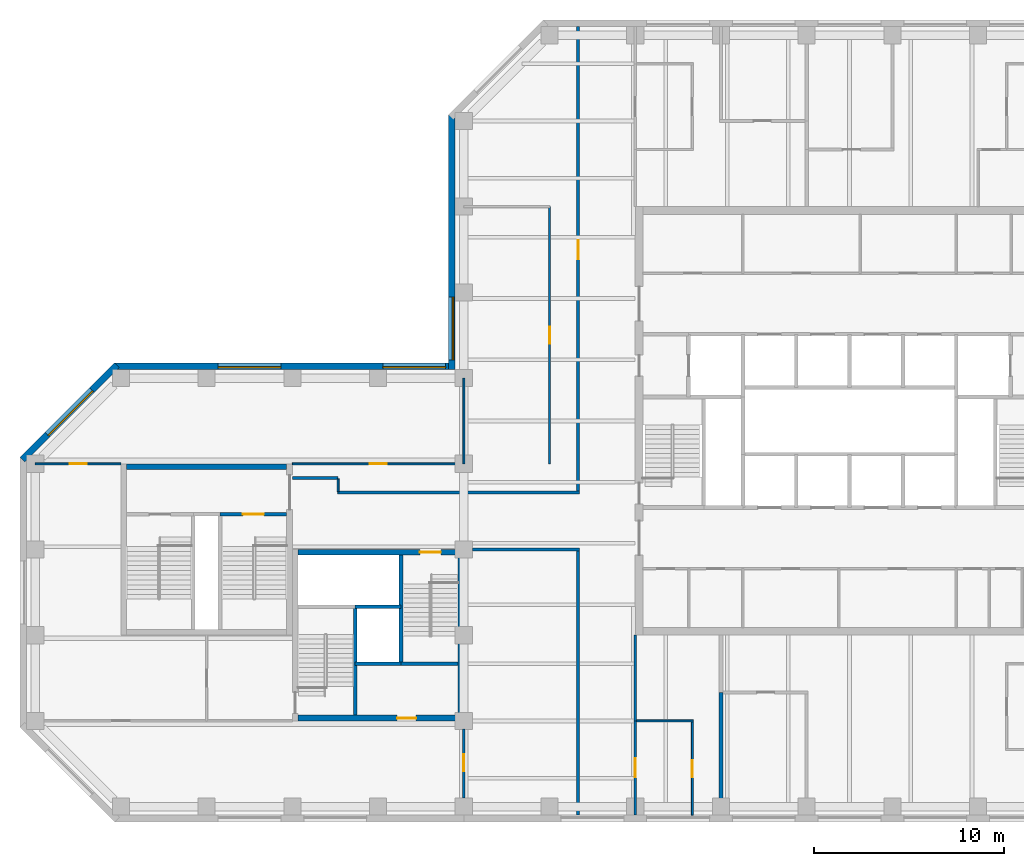
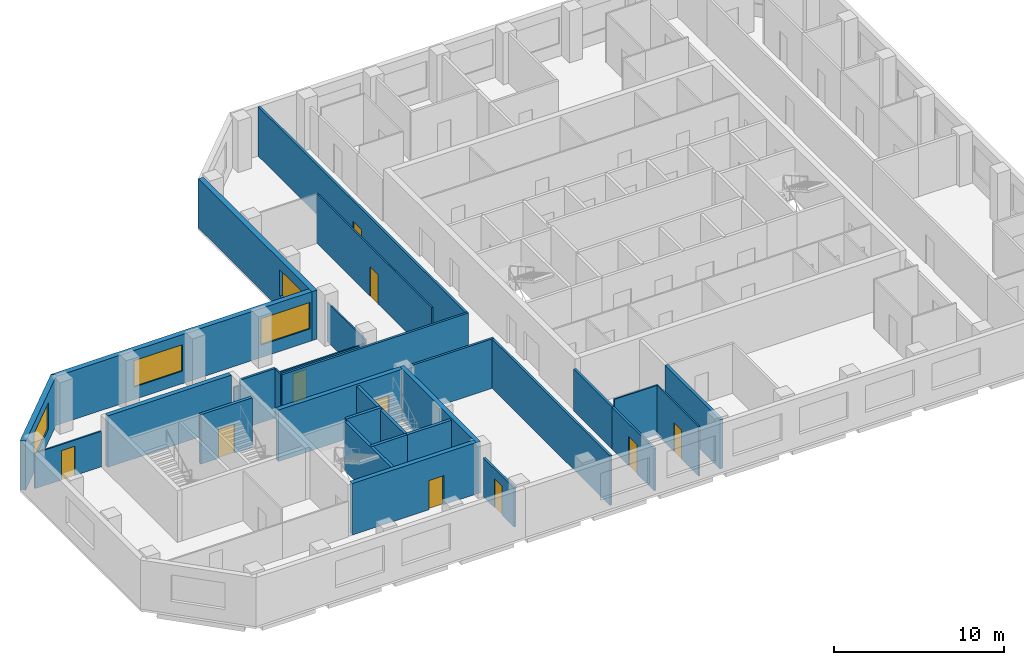
# One storey, part 3 of 9: 29 walls, 10 doors, 4 windows, 14 openings.
"""IFC4 building model written with IfcOpenShell, lengths in metres."""

from ifc_helpers import new_model, si_unit, direction, frame, frame_2d, origin, place, context, subcontext, project, spatial, rectangle, extrude, material, layer, layer_set, constituent, constituent_set, type_object, element, fill, save


model = new_model("IFC4")

# Units and contexts
model_context = context("Model", 3, precision=1e-05, world=origin(), true_north=direction((0.0, 1.0)))
body_context = subcontext(model_context, "Body", "Model", "MODEL_VIEW")
ifc_project = project(units=[si_unit("LENGTHUNIT", "METRE"), si_unit("AREAUNIT", "SQUARE_METRE"), si_unit("VOLUMEUNIT", "CUBIC_METRE"), si_unit("PLANEANGLEUNIT", "RADIAN"), si_unit("MASSUNIT", "GRAM", prefix="KILO")], contexts=[model_context])

# Site, building, storey
site_placement = place(None, origin())
site = spatial("IfcSite", under=ifc_project, at=site_placement, CompositionType="ELEMENT")
building_placement = place(site_placement, origin())
building = spatial("IfcBuilding", under=site, at=building_placement, Name="Quoin Convention Tower", CompositionType="ELEMENT")
storey_placement = place(building_placement, frame((0.0, 0.0, 223.0)))
storey = spatial("IfcBuildingStorey", under=building, at=storey_placement, Name="L58", CompositionType="ELEMENT", Elevation=223.0)

# Wall, opening, window
ifc_material_1 = material(Name="Brick masonry", Category="masonry")
ifc_layer_1 = layer(ifc_material_1, 0.35009765625)
ifc_layer_set_1 = layer_set([ifc_layer_1], Name="Brick masonry")
wall_type_1 = type_object("IfcWallType", Name="Brick facade wall", PredefinedType="STANDARD", material=ifc_layer_set_1)
wall_1_placement = place(storey_placement, frame((35.375, 76.831298828125, 0.0), z_axis=(0.0, 0.0, 1.0), x_axis=(0.0, -1.0, 0.0)))
wall_1 = element("IfcWall", 1, at=wall_1_placement, inside=storey, type_object=wall_type_1, Name="fw-L58-36000_76500", PredefinedType="STANDARD", context=body_context, shape_type="SweptSolid", body=[
    extrude(rectangle(XDim=13.38134765625, YDim=0.35009765625, at=frame_2d((6.690673828125, 0.0))), origin(), (0.0, 0.0, 1.0), 3.52490234375),
])
opening_1_placement = place(wall_1_placement, frame((9.581298828125, 0.0, 0.89990234375)))
opening_1 = element("IfcOpeningElement", 2, at=opening_1_placement, cuts=wall_1, Name="Opening W-02", PredefinedType="OPENING", context=body_context, shape_type="SweptSolid", body=[
    extrude(rectangle(XDim=3.300048828125, YDim=1.89990234375, at=frame_2d((1.64990234375, 0.949951171875))), frame((0.0, 0.18505859375, 0.0), z_axis=(0.0, -1.0, 0.0), x_axis=(1.0, 0.0, 0.0)), (0.0, 0.0, 1.0), 0.3701171875),
])
ifc_material_2 = material(Name="Aluminium", Category="aluminium")
ifc_constituent_1 = constituent(ifc_material_2, Name="Frame")
ifc_material_3 = material(Name="Insulated glass", Category="glass")
ifc_constituent_2 = constituent(ifc_material_3, Name="Glazing")
ifc_constituent_set = constituent_set(constituents=[ifc_constituent_1, ifc_constituent_2], Name="Aluminium")
window_type = type_object("IfcWindowType", Name="Office window", PartitioningType="DOUBLE_PANEL_VERTICAL", PredefinedType="WINDOW", material=ifc_constituent_set)
window_1_placement = place(opening_1_placement, origin())
window_1 = element("IfcWindow", 3, at=window_1_placement, inside=storey, type_object=window_type, Name="win-L58-35375_65250", OverallHeight=1.89990234375, OverallWidth=3.300048828125, PartitioningType="SINGLE_PANEL", PredefinedType="WINDOW", context=body_context, shape_type="SweptSolid", body=[
    extrude(rectangle(XDim=3.300048828125, YDim=1.89990234375, at=frame_2d((1.64990234375, 0.949951171875))), frame((0.0, 0.0849609375, 0.0), z_axis=(0.0, -1.0, 0.0), x_axis=(1.0, 0.0, 0.0)), (0.0, 0.0, 1.0), 0.06005859375),
])
fill(opening_1, window_1)

# Wall, openings, windows
wall_2_placement = place(storey_placement, frame((35.550048828125, 63.625, 0.0), z_axis=(0.0, 0.0, 1.0), x_axis=(-1.0, 0.0, 0.0)))
wall_2 = element("IfcWall", 4, at=wall_2_placement, inside=storey, type_object=wall_type_1, Name="fw-L58-36000_63000", PredefinedType="STANDARD", context=body_context, shape_type="SweptSolid", body=[
    extrude(rectangle(XDim=17.88134765625, YDim=0.35009765625, at=frame_2d((8.940673828125, 0.0))), origin(), (0.0, 0.0, 1.0), 3.52490234375),
])
opening_2_placement = place(wall_2_placement, frame((0.5, 0.0, 0.89990234375)))
opening_2 = element("IfcOpeningElement", 5, at=opening_2_placement, cuts=wall_2, Name="Opening W-02", PredefinedType="OPENING", context=body_context, shape_type="SweptSolid", body=[
    extrude(rectangle(XDim=3.300048828125, YDim=1.89990234375, at=frame_2d((1.64990234375, 0.949951171875))), frame((0.0, 0.18505859375, 0.0), z_axis=(0.0, -1.0, 0.0), x_axis=(1.0, 0.0, 0.0)), (0.0, 0.0, 1.0), 0.3701171875),
])
opening_3_placement = place(wall_2_placement, frame((9.14990234375, 0.0, 0.89990234375)))
opening_3 = element("IfcOpeningElement", 6, at=opening_3_placement, cuts=wall_2, Name="Opening W-02", PredefinedType="OPENING", context=body_context, shape_type="SweptSolid", body=[
    extrude(rectangle(XDim=3.300048828125, YDim=1.89990234375, at=frame_2d((1.64990234375, 0.949951171875))), frame((0.0, 0.18505859375, 0.0), z_axis=(0.0, -1.0, 0.0), x_axis=(1.0, 0.0, 0.0)), (0.0, 0.0, 1.0), 0.3701171875),
])
window_2_placement = place(opening_2_placement, origin())
window_2 = element("IfcWindow", 7, at=window_2_placement, inside=storey, type_object=window_type, Name="win-L58-33750_63625", OverallHeight=1.89990234375, OverallWidth=3.300048828125, PartitioningType="SINGLE_PANEL", PredefinedType="WINDOW", context=body_context, shape_type="SweptSolid", body=[
    extrude(rectangle(XDim=3.300048828125, YDim=1.89990234375, at=frame_2d((1.64990234375, 0.949951171875))), frame((0.0, 0.0849609375, 0.0), z_axis=(0.0, -1.0, 0.0), x_axis=(1.0, 0.0, 0.0)), (0.0, 0.0, 1.0), 0.06005859375),
])
fill(opening_2, window_2)
window_3_placement = place(opening_3_placement, origin())
window_3 = element("IfcWindow", 8, at=window_3_placement, inside=storey, type_object=window_type, Name="win-L58-24750_63625", OverallHeight=1.89990234375, OverallWidth=3.300048828125, PartitioningType="SINGLE_PANEL", PredefinedType="WINDOW", context=body_context, shape_type="SweptSolid", body=[
    extrude(rectangle(XDim=3.300048828125, YDim=1.89990234375, at=frame_2d((1.64990234375, 0.949951171875))), frame((0.0, 0.0849609375, 0.0), z_axis=(0.0, -1.0, 0.0), x_axis=(1.0, 0.0, 0.0)), (0.0, 0.0, 1.0), 0.06005859375),
])
fill(opening_3, window_3)

# Wall, opening, window
wall_3_placement = place(storey_placement, frame((17.79248046875, 63.67626953125, 0.0), z_axis=(0.0, 0.0, 1.0), x_axis=(-0.707106781187, -0.707106781187, 0.0)))
wall_3 = element("IfcWall", 9, at=wall_3_placement, inside=storey, type_object=wall_type_1, Name="fw-L58-18000_63000", PredefinedType="STANDARD", context=body_context, shape_type="SweptSolid", body=[
    extrude(rectangle(XDim=7.02685546875, YDim=0.35009765625, at=frame_2d((3.513427734375, 0.0))), origin(), (0.0, 0.0, 1.0), 3.52490234375),
])
opening_4_placement = place(wall_3_placement, frame((1.86328125, 0.0, 0.89990234375)))
opening_4 = element("IfcOpeningElement", 10, at=opening_4_placement, cuts=wall_3, Name="Opening W-02", PredefinedType="OPENING", context=body_context, shape_type="SweptSolid", body=[
    extrude(rectangle(XDim=3.300048828125, YDim=1.89990234375, at=frame_2d((1.64990234375, 0.949951171875))), frame((0.0, 0.18505859375, 0.0), z_axis=(0.0, -1.0, 0.0), x_axis=(1.0, 0.0, 0.0)), (0.0, 0.0, 1.0), 0.3701171875),
])
window_4_placement = place(opening_4_placement, origin())
window_4 = element("IfcWindow", 11, at=window_4_placement, inside=storey, type_object=window_type, Name="win-L58-15308_61192", OverallHeight=1.89990234375, OverallWidth=3.300048828125, PartitioningType="SINGLE_PANEL", PredefinedType="WINDOW", context=body_context, shape_type="SweptSolid", body=[
    extrude(rectangle(XDim=3.300048828125, YDim=1.89990234375, at=frame_2d((1.64990234375, 0.949951171875))), frame((0.0, 0.0849609375, 0.0), z_axis=(0.0, -1.0, 0.0), x_axis=(1.0, 0.0, 0.0)), (0.0, 0.0, 1.0), 0.06005859375),
])
fill(opening_4, window_4)

# Walls
ifc_material_4 = material(Name="Concrete C50", Category="concrete")
ifc_layer_2 = layer(ifc_material_4, 0.199951171875)
ifc_layer_set_2 = layer_set([ifc_layer_2], Name="Concrete C50")
wall_type_2 = type_object("IfcWallType", Name="Core shaft wall", PredefinedType="SOLIDWALL", material=ifc_layer_set_2)
wall_4_placement = place(storey_placement, frame((30.300048828125, 48.0, 0.0), z_axis=(0.0, 0.0, 1.0), x_axis=(1.0, 0.0, 0.0)))
element("IfcWall", 12, at=wall_4_placement, inside=storey, type_object=wall_type_2, Name="cr-P2-L58-h3000_3300", PredefinedType="SOLIDWALL", context=body_context, shape_type="SweptSolid", body=[
    extrude(rectangle(XDim=2.39990234375, YDim=0.199951171875, at=frame_2d((1.199951171875, 0.0))), origin(), (0.0, 0.0, 1.0), 3.550048828125),
])
wall_5_placement = place(storey_placement, frame((32.699951171875, 48.0, 0.0), z_axis=(0.0, 0.0, 1.0), x_axis=(1.0, 0.0, 0.0)))
element("IfcWall", 13, at=wall_5_placement, inside=storey, type_object=wall_type_2, Name="cr-P2-L58-h3000_5700", PredefinedType="SOLIDWALL", context=body_context, shape_type="SweptSolid", body=[
    extrude(rectangle(XDim=3.0, YDim=0.199951171875, at=frame_2d((1.5, 0.0))), origin(), (0.0, 0.0, 1.0), 3.550048828125),
])
for number, where, z_axis, x_axis, name in (
    (14, (30.300048828125, 45.300048828125, 0.0), (0.0, 0.0, 1.0), (0.0, 1.0, 0.0), "cr-P2-L58-v3300_300"),
    (15, (32.699951171875, 48.0, 0.0), (0.0, 0.0, 1.0), (0.0, 1.0, 0.0), "cr-P2-L58-v5700_3000"),
):
    element("IfcWall", number, at=place(storey_placement, frame(where, z_axis=z_axis, x_axis=x_axis)), inside=storey, type_object=wall_type_2, Name=name, PredefinedType="SOLIDWALL", context=body_context, shape_type="SweptSolid", body=[
        extrude(rectangle(XDim=5.699951171875, YDim=0.199951171875, at=frame_2d((2.85009765625, 0.0))), origin(), (0.0, 0.0, 1.0), 3.550048828125),
    ])

# Wall, opening, door
wall_6_placement = place(storey_placement, frame((23.199951171875, 55.85009765625, 0.0), z_axis=(0.0, 0.0, 1.0), x_axis=(1.0, 0.0, 0.0)))
wall_6 = element("IfcWall", 16, at=wall_6_placement, inside=storey, type_object=wall_type_2, Name="cr-P6-L58-h6350_5200", PredefinedType="SOLIDWALL", context=body_context, shape_type="SweptSolid", body=[
    extrude(rectangle(XDim=3.5, YDim=0.199951171875, at=frame_2d((1.75, 0.0))), origin(), (0.0, 0.0, 1.0), 3.550048828125),
])
opening_5_placement = place(wall_6_placement, frame((1.199951171875, 0.0, 0.0)))
opening_5 = element("IfcOpeningElement", 17, at=opening_5_placement, cuts=wall_6, Name="Opening SD12", PredefinedType="OPENING", context=body_context, shape_type="SweptSolid", body=[
    extrude(rectangle(XDim=1.10009765625, YDim=2.10009765625, at=frame_2d((0.550048828125, 1.050048828125))), frame((0.0, 0.10986328125, 0.0), z_axis=(0.0, -1.0, 0.0), x_axis=(1.0, 0.0, 0.0)), (0.0, 0.0, 1.0), 0.219970703125),
])
ifc_material_5 = material(Name="Steel door leaf", Category="steel")
door_type_1 = type_object("IfcDoorType", Name="Stair door 1100 x 2100", OperationType="SINGLE_SWING_RIGHT", PredefinedType="DOOR", material=ifc_material_5)
door_1_placement = place(opening_5_placement, origin())
door_1 = element("IfcDoor", 18, at=door_1_placement, inside=storey, type_object=door_type_1, Name="cd-P6-L58-SB-R2-SD12", OperationType="SINGLE_SWING_RIGHT", OverallHeight=2.10009765625, OverallWidth=1.10009765625, PredefinedType="DOOR", context=body_context, shape_type="SweptSolid", body=[
    extrude(rectangle(XDim=1.10009765625, YDim=2.10009765625, at=frame_2d((0.550048828125, 1.050048828125))), frame((0.0, 0.02490234375, 0.0), z_axis=(0.0, -1.0, 0.0), x_axis=(1.0, 0.0, 0.0)), (0.0, 0.0, 1.0), 0.050048828125),
])
fill(opening_5, door_1)

# Walls
ifc_layer_3 = layer(ifc_material_4, 0.199951171875)
ifc_layer_set_3 = layer_set([ifc_layer_3], Name="Concrete C50")
wall_type_3 = type_object("IfcWallType", Name="Core shaft wall to the floor level over", PredefinedType="SOLIDWALL", material=ifc_layer_set_3)
wall_7_placement = place(storey_placement, frame((30.300048828125, 51.0, 0.0), z_axis=(0.0, 0.0, 1.0), x_axis=(1.0, 0.0, 0.0)))
element("IfcWall", 19, at=wall_7_placement, inside=storey, type_object=wall_type_3, Name="cr-P2-L58-h6000_3300", PredefinedType="SOLIDWALL", context=body_context, shape_type="SweptSolid", body=[
    extrude(rectangle(XDim=2.39990234375, YDim=0.199951171875, at=frame_2d((1.199951171875, 0.0))), origin(), (0.0, 0.0, 1.0), 3.699951171875),
])
ifc_material_6 = material(Name="Plasterboard")
ifc_layer_4 = layer(ifc_material_6, 0.012451171875, Name="Finish")
ifc_material_7 = material(Name="Steel stud framing", Category="steel")
ifc_layer_5 = layer(ifc_material_7, 0.125, Name="Structure")
ifc_layer_6 = layer(ifc_material_6, 0.012451171875, Name="Finish")
ifc_layer_set_4 = layer_set([ifc_layer_4, ifc_layer_5, ifc_layer_6], Name="Steel stud framing")
wall_type_4 = type_object("IfcWallType", Name="Corridor wall 150", PredefinedType="PARTITIONING", material=ifc_layer_set_4)
wall_8_placement = place(storey_placement, frame((36.449951171875, 54.0, 0.0), z_axis=(0.0, 0.0, 1.0), x_axis=(1.0, 0.0, 0.0)))
element("IfcWall", 20, at=wall_8_placement, inside=storey, type_object=wall_type_4, Name="pw-L58-014", PredefinedType="PARTITIONING", context=body_context, shape_type="SweptSolid", body=[
    extrude(rectangle(XDim=5.625, YDim=0.14990234375, at=frame_2d((2.8125, 0.0))), origin(), (0.0, 0.0, 1.0), 3.550048828125),
])
wall_9_placement = place(storey_placement, frame((29.3798828125, 57.0, 0.0), z_axis=(0.0, 0.0, 1.0), x_axis=(1.0, 0.0, 0.0)))
element("IfcWall", 21, at=wall_9_placement, inside=storey, type_object=wall_type_4, Name="pw-L58-015", PredefinedType="PARTITIONING", context=body_context, shape_type="SweptSolid", body=[
    extrude(rectangle(XDim=12.695068359375, YDim=0.14990234375, at=frame_2d((6.34765625, 0.0))), origin(), (0.0, 0.0, 1.0), 3.550048828125),
])
wall_10_placement = place(storey_placement, frame((42.0, 40.050048828125, 0.0), z_axis=(0.0, 0.0, 1.0), x_axis=(0.0, 1.0, 0.0)))
element("IfcWall", 22, at=wall_10_placement, inside=storey, type_object=wall_type_4, Name="pw-L58-035", PredefinedType="PARTITIONING", context=body_context, shape_type="SweptSolid", body=[
    extrude(rectangle(XDim=13.875, YDim=0.14990234375, at=frame_2d((6.9375, 0.0))), origin(), (0.0, 0.0, 1.0), 3.550048828125),
])

# Wall, opening, door
wall_11_placement = place(storey_placement, frame((42.0, 57.074951171875, 0.0), z_axis=(0.0, 0.0, 1.0), x_axis=(0.0, 1.0, 0.0)))
wall_11 = element("IfcWall", 23, at=wall_11_placement, inside=storey, type_object=wall_type_4, Name="pw-L58-057", PredefinedType="PARTITIONING", context=body_context, shape_type="SweptSolid", body=[
    extrude(rectangle(XDim=24.375, YDim=0.14990234375, at=frame_2d((12.1875, 0.0))), origin(), (0.0, 0.0, 1.0), 3.550048828125),
])
opening_6_placement = place(wall_11_placement, frame((12.175048828125, 0.0, 0.0)))
opening_6 = element("IfcOpeningElement", 24, at=opening_6_placement, cuts=wall_11, Name="Opening DOH10-14", PredefinedType="OPENING", context=body_context, shape_type="SweptSolid", body=[
    extrude(rectangle(XDim=1.0, YDim=2.10009765625, at=frame_2d((0.5, 1.050048828125))), frame((0.0, 0.0849609375, 0.0), z_axis=(0.0, -1.0, 0.0), x_axis=(1.0, 0.0, 0.0)), (0.0, 0.0, 1.0), 0.169921875),
])
door_type_2 = type_object("IfcDoorType", Name="Tenancy entrance door 1000 x 2100", OperationType="DOUBLE_DOOR_SINGLE_SWING", PredefinedType="DOOR", material=ifc_material_5)
door_2_placement = place(opening_6_placement, origin())
door_2 = element("IfcDoor", 25, at=door_2_placement, inside=storey, type_object=door_type_2, Name="dr-L58-w01", OperationType="DOUBLE_DOOR_SINGLE_SWING", OverallHeight=2.10009765625, OverallWidth=1.0, PredefinedType="DOOR", context=body_context, shape_type="SweptSolid", body=[
    extrude(rectangle(XDim=1.0, YDim=2.10009765625, at=frame_2d((0.5, 1.050048828125))), frame((0.0, 0.02490234375, 0.0), z_axis=(0.0, -1.0, 0.0), x_axis=(1.0, 0.0, 0.0)), (0.0, 0.0, 1.0), 0.050048828125),
])
fill(opening_6, door_2)

# Wall
wall_12_placement = place(storey_placement, frame((27.0, 57.75, 0.0), z_axis=(0.0, 0.0, 1.0), x_axis=(1.0, 0.0, 0.0)))
element("IfcWall", 26, at=wall_12_placement, inside=storey, type_object=wall_type_4, Name="pw-L58-w09", PredefinedType="PARTITIONING", context=body_context, shape_type="SweptSolid", body=[
    extrude(rectangle(XDim=2.39990234375, YDim=0.14990234375, at=frame_2d((1.199951171875, 0.0))), origin(), (0.0, 0.0, 1.0), 3.550048828125),
])

# Wall, opening, door
ifc_layer_7 = layer(ifc_material_6, 0.012451171875, Name="Finish")
ifc_layer_8 = layer(ifc_material_7, 0.125, Name="Structure")
ifc_layer_9 = layer(ifc_material_6, 0.012451171875, Name="Finish")
ifc_layer_set_5 = layer_set([ifc_layer_7, ifc_layer_8, ifc_layer_9], Name="Steel stud framing")
wall_type_5 = type_object("IfcWallType", Name="Corridor wall 150 under beam 528", PredefinedType="PARTITIONING", material=ifc_layer_set_5)
wall_13_placement = place(storey_placement, frame((45.0, 40.050048828125, 0.0), z_axis=(0.0, 0.0, 1.0), x_axis=(0.0, 1.0, 0.0)))
wall_13 = element("IfcWall", 27, at=wall_13_placement, inside=storey, type_object=wall_type_5, Name="pw-L58-036", PredefinedType="PARTITIONING", context=body_context, shape_type="SweptSolid", body=[
    extrude(rectangle(XDim=4.949951171875, YDim=0.14990234375, at=frame_2d((2.47509765625, 0.0))), origin(), (0.0, 0.0, 1.0), 3.02197265625),
])
opening_7_placement = place(wall_13_placement, frame((2.0, 0.0, 0.0)))
opening_7 = element("IfcOpeningElement", 28, at=opening_7_placement, cuts=wall_13, Name="Opening DOH10-08", PredefinedType="OPENING", context=body_context, shape_type="SweptSolid", body=[
    extrude(rectangle(XDim=1.0, YDim=2.10009765625, at=frame_2d((0.5, 1.050048828125))), frame((0.0, 0.0849609375, 0.0), z_axis=(0.0, -1.0, 0.0), x_axis=(1.0, 0.0, 0.0)), (0.0, 0.0, 1.0), 0.169921875),
])
door_3_placement = place(opening_7_placement, frame((1.0, 0.0, 0.0), z_axis=(0.0, 0.0, 1.0), x_axis=(-1.0, 0.0, 0.0)))
door_3 = element("IfcDoor", 29, at=door_3_placement, inside=storey, type_object=door_type_2, Name="dr-L58-10", OperationType="DOUBLE_DOOR_SINGLE_SWING", OverallHeight=2.10009765625, OverallWidth=1.0, PredefinedType="DOOR", context=body_context, shape_type="SweptSolid", body=[
    extrude(rectangle(XDim=1.0, YDim=2.10009765625, at=frame_2d((0.5, 1.050048828125))), frame((0.0, 0.02490234375, 0.0), z_axis=(0.0, -1.0, 0.0), x_axis=(1.0, 0.0, 0.0)), (0.0, 0.0, 1.0), 0.050048828125),
])
fill(opening_7, door_3)

# Wall
wall_14_placement = place(storey_placement, frame((45.0, 45.0, 0.0), z_axis=(0.0, 0.0, 1.0), x_axis=(0.0, 1.0, 0.0)))
element("IfcWall", 30, at=wall_14_placement, inside=storey, type_object=wall_type_5, Name="pw-L58-047", PredefinedType="PARTITIONING", context=body_context, shape_type="SweptSolid", body=[
    extrude(rectangle(XDim=4.5, YDim=0.14990234375, at=frame_2d((2.25, 0.0))), origin(), (0.0, 0.0, 1.0), 3.02197265625),
])

# Wall, opening, door
ifc_layer_10 = layer(ifc_material_6, 0.012451171875, Name="Finish")
ifc_layer_11 = layer(ifc_material_7, 0.125, Name="Structure")
ifc_layer_12 = layer(ifc_material_6, 0.012451171875, Name="Finish")
ifc_layer_set_6 = layer_set([ifc_layer_10, ifc_layer_11, ifc_layer_12], Name="Steel stud framing")
wall_type_6 = type_object("IfcWallType", Name="Corridor wall 150 under beam 750", PredefinedType="PARTITIONING", material=ifc_layer_set_6)
wall_15_placement = place(storey_placement, frame((36.0, 40.949951171875, 0.0), z_axis=(0.0, 0.0, 1.0), x_axis=(0.0, 1.0, 0.0)))
wall_15 = element("IfcWall", 31, at=wall_15_placement, inside=storey, type_object=wall_type_6, Name="pw-L58-042", PredefinedType="PARTITIONING", context=body_context, shape_type="SweptSolid", body=[
    extrude(rectangle(XDim=3.630126953125, YDim=0.14990234375, at=frame_2d((1.81494140625, 0.0))), origin(), (0.0, 0.0, 1.0), 2.800048828125),
])
opening_8_placement = place(wall_15_placement, frame((1.39990234375, 0.0, 0.0)))
opening_8 = element("IfcOpeningElement", 32, at=opening_8_placement, cuts=wall_15, Name="Opening DOH10-10", PredefinedType="OPENING", context=body_context, shape_type="SweptSolid", body=[
    extrude(rectangle(XDim=0.89990234375, YDim=2.10009765625, at=frame_2d((0.449951171875, 1.050048828125))), frame((0.0, 0.0849609375, 0.0), z_axis=(0.0, -1.0, 0.0), x_axis=(1.0, 0.0, 0.0)), (0.0, 0.0, 1.0), 0.169921875),
])
door_type_3 = type_object("IfcDoorType", Name="Office door 900 x 2100", OperationType="SINGLE_SWING_RIGHT", PredefinedType="DOOR", material=ifc_material_5)
door_4_placement = place(opening_8_placement, origin())
door_4 = element("IfcDoor", 33, at=door_4_placement, inside=storey, type_object=door_type_3, Name="dr-L58-01", OperationType="SINGLE_SWING_RIGHT", OverallHeight=2.10009765625, OverallWidth=0.89990234375, PredefinedType="DOOR", context=body_context, shape_type="SweptSolid", body=[
    extrude(rectangle(XDim=0.89990234375, YDim=2.10009765625, at=frame_2d((0.449951171875, 1.050048828125))), frame((0.0, 0.02490234375, 0.0), z_axis=(0.0, -1.0, 0.0), x_axis=(1.0, 0.0, 0.0)), (0.0, 0.0, 1.0), 0.050048828125),
])
fill(opening_8, door_4)

ifc_layer_13 = layer(ifc_material_4, 0.300048828125)
ifc_layer_set_7 = layer_set([ifc_layer_13], Name="Concrete C50")
wall_type_7 = type_object("IfcWallType", Name="RC CORE WALL 300 C50", PredefinedType="SHEAR", material=ifc_layer_set_7)
wall_16_placement = place(storey_placement, frame((27.300048828125, 45.14990234375, 0.0), z_axis=(0.0, 0.0, 1.0), x_axis=(1.0, 0.0, 0.0)))
wall_16 = element("IfcWall", 34, at=wall_16_placement, inside=storey, type_object=wall_type_7, Name="cwl-P2-L58-S", PredefinedType="SHEAR", context=body_context, shape_type="SweptSolid", body=[
    extrude(rectangle(XDim=8.39990234375, YDim=0.300048828125, at=frame_2d((4.199951171875, 0.0))), origin(), (0.0, 0.0, 1.0), 3.699951171875),
])
opening_9_placement = place(wall_16_placement, frame((5.199951171875, 0.0, 0.0)))
opening_9 = element("IfcOpeningElement", 35, at=opening_9_placement, cuts=wall_16, Name="Opening DCV2-41", PredefinedType="OPENING", context=body_context, shape_type="SweptSolid", body=[
    extrude(rectangle(XDim=1.0, YDim=2.10009765625, at=frame_2d((0.5, 1.050048828125))), frame((0.0, 0.159912109375, 0.0), z_axis=(0.0, -1.0, 0.0), x_axis=(1.0, 0.0, 0.0)), (0.0, 0.0, 1.0), 0.320068359375),
])
door_type_4 = type_object("IfcDoorType", Name="Service door 1000 x 2100", OperationType="SINGLE_SWING_LEFT", PredefinedType="DOOR", material=ifc_material_5)
door_5_placement = place(opening_9_placement, frame((1.0, 0.0, 0.0), z_axis=(0.0, 0.0, 1.0), x_axis=(-1.0, 0.0, 0.0)))
door_5 = element("IfcDoor", 36, at=door_5_placement, inside=storey, type_object=door_type_4, Name="cd-P2-L58-R2-S", OperationType="SINGLE_SWING_LEFT", OverallHeight=2.10009765625, OverallWidth=1.0, PredefinedType="DOOR", context=body_context, shape_type="SweptSolid", body=[
    extrude(rectangle(XDim=1.0, YDim=2.10009765625, at=frame_2d((0.5, 1.050048828125))), frame((0.0, 0.02490234375, 0.0), z_axis=(0.0, -1.0, 0.0), x_axis=(1.0, 0.0, 0.0)), (0.0, 0.0, 1.0), 0.050048828125),
])
fill(opening_9, door_5)

wall_17_placement = place(storey_placement, frame((27.300048828125, 53.85009765625, 0.0), z_axis=(0.0, 0.0, 1.0), x_axis=(1.0, 0.0, 0.0)))
wall_17 = element("IfcWall", 37, at=wall_17_placement, inside=storey, type_object=wall_type_7, Name="cwl-P2-L58-N", PredefinedType="SHEAR", context=body_context, shape_type="SweptSolid", body=[
    extrude(rectangle(XDim=8.39990234375, YDim=0.300048828125, at=frame_2d((4.199951171875, 0.0))), origin(), (0.0, 0.0, 1.0), 3.699951171875),
])
opening_10_placement = place(wall_17_placement, frame((6.39990234375, 0.0, 0.0)))
opening_10 = element("IfcOpeningElement", 38, at=opening_10_placement, cuts=wall_17, Name="Opening SD4", PredefinedType="OPENING", context=body_context, shape_type="SweptSolid", body=[
    extrude(rectangle(XDim=1.10009765625, YDim=2.10009765625, at=frame_2d((0.550048828125, 1.050048828125))), frame((0.0, 0.159912109375, 0.0), z_axis=(0.0, -1.0, 0.0), x_axis=(1.0, 0.0, 0.0)), (0.0, 0.0, 1.0), 0.320068359375),
])
door_6_placement = place(opening_10_placement, frame((1.10009765625, 0.0, 0.0), z_axis=(0.0, 0.0, 1.0), x_axis=(-1.0, 0.0, 0.0)))
door_6 = element("IfcDoor", 39, at=door_6_placement, inside=storey, type_object=door_type_1, Name="cd-P2-L58-SB-N", OperationType="SINGLE_SWING_LEFT", OverallHeight=2.10009765625, OverallWidth=1.10009765625, PredefinedType="DOOR", context=body_context, shape_type="SweptSolid", body=[
    extrude(rectangle(XDim=1.10009765625, YDim=2.10009765625, at=frame_2d((0.550048828125, 1.050048828125))), frame((0.0, 0.02490234375, 0.0), z_axis=(0.0, -1.0, 0.0), x_axis=(1.0, 0.0, 0.0)), (0.0, 0.0, 1.0), 0.050048828125),
])
fill(opening_10, door_6)

# Walls
wall_18_placement = place(storey_placement, frame((35.85009765625, 45.0, 0.0), z_axis=(0.0, 0.0, 1.0), x_axis=(0.0, 1.0, 0.0)))
element("IfcWall", 40, at=wall_18_placement, inside=storey, type_object=wall_type_7, Name="cwl-P2-L58-E", PredefinedType="SHEAR", context=body_context, shape_type="SweptSolid", body=[
    extrude(rectangle(XDim=9.0, YDim=0.300048828125, at=frame_2d((4.5, 0.0))), origin(), (0.0, 0.0, 1.0), 3.699951171875),
])
wall_19_placement = place(storey_placement, frame((18.300048828125, 58.35009765625, 0.0), z_axis=(0.0, 0.0, 1.0), x_axis=(1.0, 0.0, 0.0)))
element("IfcWall", 41, at=wall_19_placement, inside=storey, type_object=wall_type_7, Name="cwl-P6-L58-N", PredefinedType="SHEAR", context=body_context, shape_type="SweptSolid", body=[
    extrude(rectangle(XDim=8.39990234375, YDim=0.300048828125, at=frame_2d((4.199951171875, 0.0))), origin(), (0.0, 0.0, 1.0), 3.699951171875),
])
ifc_layer_14 = layer(ifc_material_6, 0.012451171875, Name="Finish")
ifc_layer_15 = layer(ifc_material_7, 0.074951171875, Name="Structure")
ifc_layer_16 = layer(ifc_material_6, 0.012451171875, Name="Finish")
ifc_layer_set_8 = layer_set([ifc_layer_14, ifc_layer_15, ifc_layer_16], Name="Steel stud framing")
wall_type_8 = type_object("IfcWallType", Name="Stud partition 100", PredefinedType="PARTITIONING", material=ifc_layer_set_8)
wall_20_placement = place(storey_placement, frame((45.074951171875, 45.0, 0.0), z_axis=(0.0, 0.0, 1.0), x_axis=(1.0, 0.0, 0.0)))
element("IfcWall", 42, at=wall_20_placement, inside=storey, type_object=wall_type_8, Name="pw-L58-005", PredefinedType="PARTITIONING", context=body_context, shape_type="SweptSolid", body=[
    extrude(rectangle(XDim=2.97509765625, YDim=0.10009765625, at=frame_2d((1.487548828125, 0.0))), origin(), (0.0, 0.0, 1.0), 3.550048828125),
])

# Wall, opening, door
wall_21_placement = place(storey_placement, frame((48.0, 40.050048828125, 0.0), z_axis=(0.0, 0.0, 1.0), x_axis=(0.0, 1.0, 0.0)))
wall_21 = element("IfcWall", 43, at=wall_21_placement, inside=storey, type_object=wall_type_8, Name="pw-L58-037", PredefinedType="PARTITIONING", context=body_context, shape_type="SweptSolid", body=[
    extrude(rectangle(XDim=4.89990234375, YDim=0.10009765625, at=frame_2d((2.449951171875, 0.0))), origin(), (0.0, 0.0, 1.0), 3.550048828125),
])
opening_11_placement = place(wall_21_placement, frame((2.0, 0.0, 0.0)))
opening_11 = element("IfcOpeningElement", 44, at=opening_11_placement, cuts=wall_21, Name="Opening DOH10-09", PredefinedType="OPENING", context=body_context, shape_type="SweptSolid", body=[
    extrude(rectangle(XDim=0.89990234375, YDim=2.10009765625, at=frame_2d((0.449951171875, 1.050048828125))), frame((0.0, 0.06005859375, 0.0), z_axis=(0.0, -1.0, 0.0), x_axis=(1.0, 0.0, 0.0)), (0.0, 0.0, 1.0), 0.1201171875),
])
door_7_placement = place(opening_11_placement, frame((0.89990234375, 0.0, 0.0), z_axis=(0.0, 0.0, 1.0), x_axis=(-1.0, 0.0, 0.0)))
door_7 = element("IfcDoor", 45, at=door_7_placement, inside=storey, type_object=door_type_3, Name="dr-L58-11", OperationType="SINGLE_SWING_LEFT", OverallHeight=2.10009765625, OverallWidth=0.89990234375, PredefinedType="DOOR", context=body_context, shape_type="SweptSolid", body=[
    extrude(rectangle(XDim=0.89990234375, YDim=2.10009765625, at=frame_2d((0.449951171875, 1.050048828125))), frame((0.0, 0.02490234375, 0.0), z_axis=(0.0, -1.0, 0.0), x_axis=(1.0, 0.0, 0.0)), (0.0, 0.0, 1.0), 0.050048828125),
])
fill(opening_11, door_7)

wall_22_placement = place(storey_placement, frame((40.5, 72.0, 0.0), z_axis=(0.0, 0.0, 1.0), x_axis=(0.0, -1.0, 0.0)))
wall_22 = element("IfcWall", 46, at=wall_22_placement, inside=storey, type_object=wall_type_8, Name="pw-L58-w02", PredefinedType="PARTITIONING", context=body_context, shape_type="SweptSolid", body=[
    extrude(rectangle(XDim=13.5, YDim=0.10009765625, at=frame_2d((6.75, 0.0))), origin(), (0.0, 0.0, 1.0), 3.550048828125),
])
opening_12_placement = place(wall_22_placement, frame((6.300048828125, 0.0, 0.0)))
opening_12 = element("IfcOpeningElement", 47, at=opening_12_placement, cuts=wall_22, Name="Opening DOH10-24", PredefinedType="OPENING", context=body_context, shape_type="SweptSolid", body=[
    extrude(rectangle(XDim=0.89990234375, YDim=2.10009765625, at=frame_2d((0.449951171875, 1.050048828125))), frame((0.0, 0.06005859375, 0.0), z_axis=(0.0, -1.0, 0.0), x_axis=(1.0, 0.0, 0.0)), (0.0, 0.0, 1.0), 0.1201171875),
])
door_8_placement = place(opening_12_placement, frame((0.89990234375, 0.0, 0.0), z_axis=(0.0, 0.0, 1.0), x_axis=(-1.0, 0.0, 0.0)))
door_8 = element("IfcDoor", 48, at=door_8_placement, inside=storey, type_object=door_type_3, Name="dr-L58-w02", OperationType="SINGLE_SWING_RIGHT", OverallHeight=2.10009765625, OverallWidth=0.89990234375, PredefinedType="DOOR", context=body_context, shape_type="SweptSolid", body=[
    extrude(rectangle(XDim=0.89990234375, YDim=2.10009765625, at=frame_2d((0.449951171875, 1.050048828125))), frame((0.0, 0.02490234375, 0.0), z_axis=(0.0, -1.0, 0.0), x_axis=(1.0, 0.0, 0.0)), (0.0, 0.0, 1.0), 0.050048828125),
])
fill(opening_12, door_8)

# Wall
wall_23_placement = place(storey_placement, frame((29.39990234375, 57.715087890625, 0.0), z_axis=(0.0, 0.0, 1.0), x_axis=(0.0, -1.0, 0.0)))
element("IfcWall", 49, at=wall_23_placement, inside=storey, type_object=wall_type_8, Name="pw-L58-w10", PredefinedType="PARTITIONING", context=body_context, shape_type="SweptSolid", body=[
    extrude(rectangle(XDim=0.68017578125, YDim=0.10009765625, at=frame_2d((0.340087890625, 0.0))), origin(), (0.0, 0.0, 1.0), 3.550048828125),
])

# Wall, opening, door
ifc_layer_17 = layer(ifc_material_6, 0.012451171875, Name="Finish")
ifc_layer_18 = layer(ifc_material_7, 0.074951171875, Name="Structure")
ifc_layer_19 = layer(ifc_material_6, 0.012451171875, Name="Finish")
ifc_layer_set_9 = layer_set([ifc_layer_17, ifc_layer_18, ifc_layer_19], Name="Steel stud framing")
wall_type_9 = type_object("IfcWallType", Name="Stud partition 100 under beam 1000", PredefinedType="PARTITIONING", material=ifc_layer_set_9)
wall_24_placement = place(storey_placement, frame((36.0, 58.5, 0.0), z_axis=(0.0, 0.0, 1.0), x_axis=(-1.0, 0.0, 0.0)))
wall_24 = element("IfcWall", 50, at=wall_24_placement, inside=storey, type_object=wall_type_9, Name="pw-L58-w04", PredefinedType="PARTITIONING", context=body_context, shape_type="SweptSolid", body=[
    extrude(rectangle(XDim=9.0, YDim=0.10009765625, at=frame_2d((4.5, 0.0))), origin(), (0.0, 0.0, 1.0), 2.550048828125),
])
opening_13_placement = place(wall_24_placement, frame((4.050048828125, 0.0, 0.0)))
opening_13 = element("IfcOpeningElement", 51, at=opening_13_placement, cuts=wall_24, Name="Opening DOH10-25", PredefinedType="OPENING", context=body_context, shape_type="SweptSolid", body=[
    extrude(rectangle(XDim=0.89990234375, YDim=2.10009765625, at=frame_2d((0.449951171875, 1.050048828125))), frame((0.0, 0.06005859375, 0.0), z_axis=(0.0, -1.0, 0.0), x_axis=(1.0, 0.0, 0.0)), (0.0, 0.0, 1.0), 0.1201171875),
])
door_9_placement = place(opening_13_placement, frame((0.89990234375, 0.0, 0.0), z_axis=(0.0, 0.0, 1.0), x_axis=(-1.0, 0.0, 0.0)))
door_9 = element("IfcDoor", 52, at=door_9_placement, inside=storey, type_object=door_type_3, Name="dr-L58-w03", OperationType="SINGLE_SWING_RIGHT", OverallHeight=2.10009765625, OverallWidth=0.89990234375, PredefinedType="DOOR", context=body_context, shape_type="SweptSolid", body=[
    extrude(rectangle(XDim=0.89990234375, YDim=2.10009765625, at=frame_2d((0.449951171875, 1.050048828125))), frame((0.0, 0.02490234375, 0.0), z_axis=(0.0, -1.0, 0.0), x_axis=(1.0, 0.0, 0.0)), (0.0, 0.0, 1.0), 0.050048828125),
])
fill(opening_13, door_9)

wall_25_placement = place(storey_placement, frame((13.5, 58.5, 0.0), z_axis=(0.0, 0.0, 1.0), x_axis=(1.0, 0.0, 0.0)))
wall_25 = element("IfcWall", 53, at=wall_25_placement, inside=storey, type_object=wall_type_9, Name="pw-L58-w05", PredefinedType="PARTITIONING", context=body_context, shape_type="SweptSolid", body=[
    extrude(rectangle(XDim=4.5, YDim=0.10009765625, at=frame_2d((2.25, 0.0))), origin(), (0.0, 0.0, 1.0), 2.550048828125),
])
opening_14_placement = place(wall_25_placement, frame((1.800048828125, 0.0, 0.0)))
opening_14 = element("IfcOpeningElement", 54, at=opening_14_placement, cuts=wall_25, Name="Opening DOH10-26", PredefinedType="OPENING", context=body_context, shape_type="SweptSolid", body=[
    extrude(rectangle(XDim=0.89990234375, YDim=2.10009765625, at=frame_2d((0.449951171875, 1.050048828125))), frame((0.0, 0.06005859375, 0.0), z_axis=(0.0, -1.0, 0.0), x_axis=(1.0, 0.0, 0.0)), (0.0, 0.0, 1.0), 0.1201171875),
])
door_10_placement = place(opening_14_placement, origin())
door_10 = element("IfcDoor", 55, at=door_10_placement, inside=storey, type_object=door_type_3, Name="dr-L58-w04", OperationType="SINGLE_SWING_RIGHT", OverallHeight=2.10009765625, OverallWidth=0.89990234375, PredefinedType="DOOR", context=body_context, shape_type="SweptSolid", body=[
    extrude(rectangle(XDim=0.89990234375, YDim=2.10009765625, at=frame_2d((0.449951171875, 1.050048828125))), frame((0.0, 0.02490234375, 0.0), z_axis=(0.0, -1.0, 0.0), x_axis=(1.0, 0.0, 0.0)), (0.0, 0.0, 1.0), 0.050048828125),
])
fill(opening_14, door_10)

# Walls
ifc_layer_20 = layer(ifc_material_6, 0.012451171875, Name="Finish")
ifc_layer_21 = layer(ifc_material_7, 0.074951171875, Name="Structure")
ifc_layer_22 = layer(ifc_material_6, 0.012451171875, Name="Finish")
ifc_layer_set_10 = layer_set([ifc_layer_20, ifc_layer_21, ifc_layer_22], Name="Steel stud framing")
wall_type_10 = type_object("IfcWallType", Name="Stud partition 100 under beam 750", PredefinedType="PARTITIONING", material=ifc_layer_set_10)
wall_26_placement = place(storey_placement, frame((36.0, 63.0, 0.0), z_axis=(0.0, 0.0, 1.0), x_axis=(0.0, -1.0, 0.0)))
element("IfcWall", 56, at=wall_26_placement, inside=storey, type_object=wall_type_10, Name="pw-L58-w03", PredefinedType="PARTITIONING", context=body_context, shape_type="SweptSolid", body=[
    extrude(rectangle(XDim=4.5, YDim=0.10009765625, at=frame_2d((2.25, 0.0))), origin(), (0.0, 0.0, 1.0), 2.800048828125),
])
ifc_layer_23 = layer(ifc_material_6, 0.012451171875, Name="Finish")
ifc_layer_24 = layer(ifc_material_7, 0.175048828125, Name="Structure")
ifc_layer_25 = layer(ifc_material_6, 0.012451171875, Name="Finish")
ifc_layer_set_11 = layer_set([ifc_layer_23, ifc_layer_24, ifc_layer_25], Name="Steel stud framing")
wall_type_11 = type_object("IfcWallType", Name="Tenancy demising wall 200", PredefinedType="PARTITIONING", material=ifc_layer_set_11)
wall_27_placement = place(storey_placement, frame((49.5, 40.050048828125, 0.0), z_axis=(0.0, 0.0, 1.0), x_axis=(0.0, 1.0, 0.0)))
element("IfcWall", 57, at=wall_27_placement, inside=storey, type_object=wall_type_11, Name="pw-L58-038", PredefinedType="PARTITIONING", context=body_context, shape_type="SweptSolid", body=[
    extrude(rectangle(XDim=6.449951171875, YDim=0.199951171875, at=frame_2d((3.22509765625, 0.0))), origin(), (0.0, 0.0, 1.0), 3.550048828125),
])

save(model, "model.ifc")
